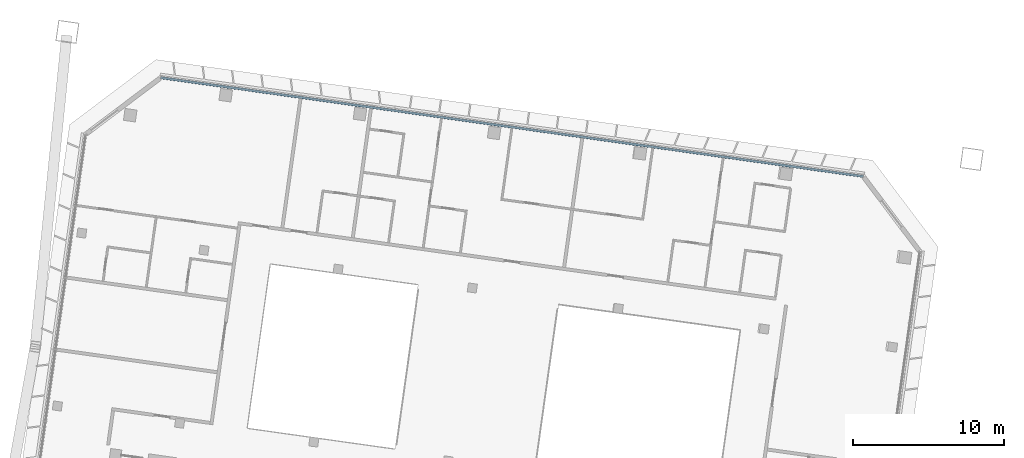
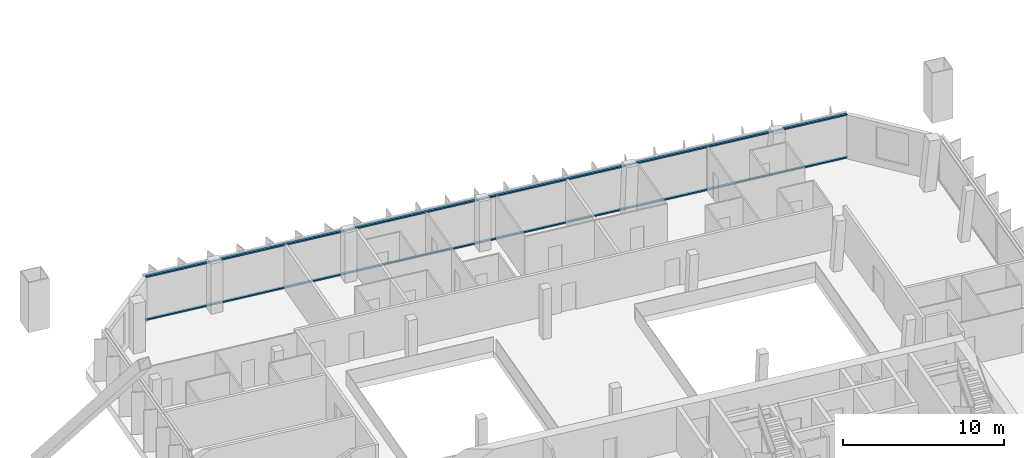
# One storey, part 5 of 23: 2 members, 1 element without a shape of its own.
"""IFC4 building model written with IfcOpenShell, lengths in metres."""

from ifc_helpers import new_model, si_unit, direction, frame, origin, origin_2d, place, context, subcontext, project, spatial, rectangle, extrude, material, material_profile, profile_set, type_object, element, aggregate, save


model = new_model("IFC4")

# Units and contexts
model_context = context("Model", 3, precision=1e-05, world=origin(), true_north=direction((0.0, 1.0)))
body_context = subcontext(model_context, "Body", "Model", "MODEL_VIEW")
ifc_project = project(units=[si_unit("LENGTHUNIT", "METRE"), si_unit("AREAUNIT", "SQUARE_METRE"), si_unit("VOLUMEUNIT", "CUBIC_METRE"), si_unit("PLANEANGLEUNIT", "RADIAN"), si_unit("MASSUNIT", "GRAM", prefix="KILO")], contexts=[model_context])

# Site, building, storey
site_placement = place(None, origin())
site = spatial("IfcSite", under=ifc_project, at=site_placement, CompositionType="ELEMENT")
building_placement = place(site_placement, origin())
building = spatial("IfcBuilding", under=site, at=building_placement, Name="Mirante Cascada Hotel Towers", CompositionType="ELEMENT")
storey_placement = place(building_placement, frame((0.0, 0.0, 195.4)))
storey = spatial("IfcBuildingStorey", under=building, at=storey_placement, Name="L46", CompositionType="ELEMENT", Elevation=195.4)

# Curtain wall, members
ifc_material_1 = material(Name="Aluminium mullion and transom frame with clear laminated glass", Category="aluminium")
curtain_wall_type = type_object("IfcCurtainWallType", Name="Ribbon curtain wall ECW1", PredefinedType="NOTDEFINED", material=ifc_material_1)
curtain_wall_placement = place(storey_placement, origin())
curtain_wall = element("IfcCurtainWall", 1, at=curtain_wall_placement, inside=storey, type_object=curtain_wall_type, Name="Front ribbon wall T1 L46", PredefinedType="NOTDEFINED")
ifc_material_2 = material(Name="Anodised aluminium extrusion", Category="aluminium")
ifc_material_profile = material_profile(ifc_material_2, rectangle(XDim=0.16, YDim=0.1, at=origin_2d()), Name="ECW1 TRANSOM 100x160")
ifc_profile_set = profile_set([ifc_material_profile], Name="Anodised aluminium extrusion")
member_type = type_object("IfcMemberType", Name="ECW1 transom 100x160", PredefinedType="USERDEFINED", material=ifc_profile_set)
member_1_placement = place(storey_placement, frame((-76.3333, 23.547, 0.05), z_axis=(0.9902679, -0.1391746, 0.0), x_axis=(0.1391746, 0.9902679, 0.0)))
member_1 = element("IfcMember", 2, at=member_1_placement, type_object=member_type, Name="ECW1 sill transom", ObjectType="TRANSOM", PredefinedType="USERDEFINED", context=body_context, shape_type="SweptSolid", body=[
    extrude(rectangle(XDim=0.16, YDim=0.1, at=origin_2d()), origin(), (0.0, 0.0, 1.0), 47.1214),
])
member_2_placement = place(storey_placement, frame((-76.3333, 23.547, 3.3), z_axis=(0.9902679, -0.1391746, 0.0), x_axis=(0.1391746, 0.9902679, 0.0)))
member_2 = element("IfcMember", 3, at=member_2_placement, type_object=member_type, Name="ECW1 head transom", ObjectType="TRANSOM", PredefinedType="USERDEFINED", context=body_context, shape_type="SweptSolid", body=[
    extrude(rectangle(XDim=0.16, YDim=0.1, at=origin_2d()), origin(), (0.0, 0.0, 1.0), 47.1214),
])
aggregate(curtain_wall, [member_1, member_2])

save(model, "model.ifc")
